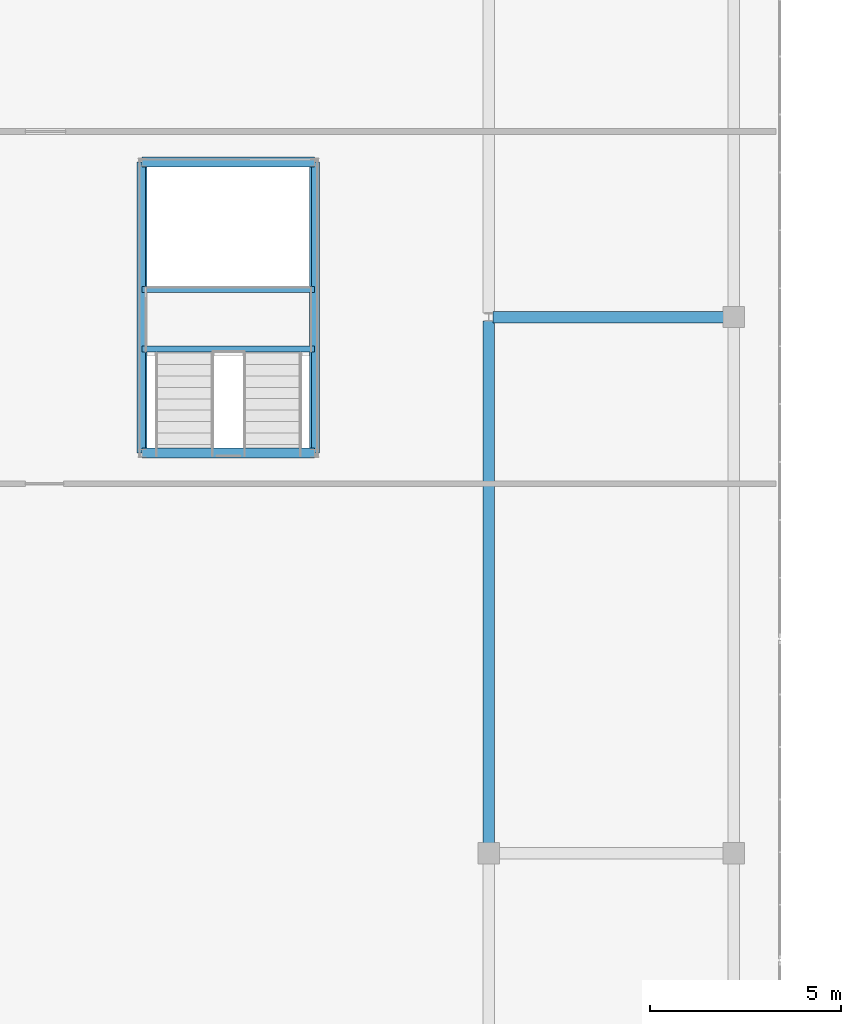
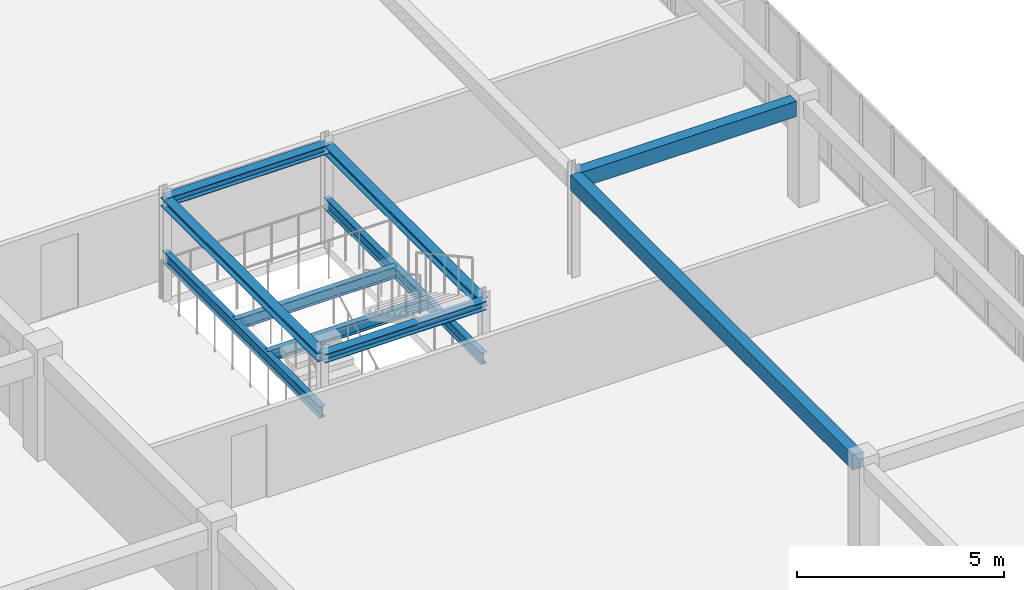
# One storey, part 46 of 148: 10 beams.
"""IFC4 building model written with IfcOpenShell, lengths in metres."""

from ifc_helpers import new_model, si_unit, direction, frame, origin, origin_2d, place, context, subcontext, project, spatial, rectangle, i_section, extrude, material, material_profile, profile_set, type_object, element, save


model = new_model("IFC4")

# Units and contexts
model_context = context("Model", 3, precision=1e-05, world=origin(), true_north=direction((0.0, 1.0)))
body_context = subcontext(model_context, "Body", "Model", "MODEL_VIEW")
ifc_project = project(units=[si_unit("LENGTHUNIT", "METRE"), si_unit("AREAUNIT", "SQUARE_METRE"), si_unit("VOLUMEUNIT", "CUBIC_METRE"), si_unit("PLANEANGLEUNIT", "RADIAN"), si_unit("MASSUNIT", "GRAM", prefix="KILO")], contexts=[model_context])

# Site, building, storey
site_placement = place(None, origin())
site = spatial("IfcSite", under=ifc_project, at=site_placement, CompositionType="ELEMENT")
building_placement = place(site_placement, origin())
building = spatial("IfcBuilding", under=site, at=building_placement, Name="Trelvath General Hospital", CompositionType="ELEMENT")
storey_placement = place(building_placement, frame((0.0, 0.0, 12.89990234375)))
storey = spatial("IfcBuildingStorey", under=building, at=storey_placement, Name="L03", CompositionType="ELEMENT", Elevation=12.89990234375)

# Beams
ifc_material_1 = material(Name="Concrete C35/45", Category="concrete")
ifc_material_profile_1 = material_profile(ifc_material_1, rectangle(XDim=0.300048828125, YDim=0.449951171875, at=origin_2d()), Name="RCB300x450")
ifc_profile_set_1 = profile_set([ifc_material_profile_1], Name="Concrete C35/45")
beam_type_1 = type_object("IfcBeamType", Name="Beam RC300x450", PredefinedType="BEAM", material=ifc_profile_set_1)
beam_1_placement = place(storey_placement, frame((107.305908203125, 58.800048828125, 2.835205078125), z_axis=(1.0, 0.0, 0.0), x_axis=(0.0, 1.0, 0.0)))
element("IfcBeam", 1, at=beam_1_placement, inside=storey, type_object=beam_type_1, Name="Cube Interior Ring Beam CUBE-E-T1 L03", PredefinedType="BEAM", context=body_context, shape_type="SweptSolid", body=[
    extrude(rectangle(XDim=0.300048828125, YDim=0.449951171875, at=origin_2d()), origin(), (0.0, 0.0, 1.0), 6.023193359375),
])
beam_2_placement = place(storey_placement, frame((107.199951171875, 45.071044921875, 2.835205078125), z_axis=(0.0, 1.0, 0.0), x_axis=(-1.0, 0.0, 0.0)))
element("IfcBeam", 2, at=beam_2_placement, inside=storey, type_object=beam_type_1, Name="Cube Interior Ring Beam CUBE-E-T1 L03", PredefinedType="BEAM", context=body_context, shape_type="SweptSolid", body=[
    extrude(rectangle(XDim=0.300048828125, YDim=0.449951171875, at=origin_2d()), origin(), (0.0, 0.0, 1.0), 13.623046875),
])
ifc_material_2 = material(Name="Steel S355", Category="steel")
ifc_material_profile_2 = material_profile(ifc_material_2, i_section(OverallWidth=0.260009765625, OverallDepth=0.25, WebThickness=0.007568359375, FlangeThickness=0.012451171875, at=origin_2d()), Name="HEA260")
ifc_profile_set_2 = profile_set([ifc_material_profile_2], Name="Steel S355")
beam_type_2 = type_object("IfcBeamType", Name="RingBeam HEA260", PredefinedType="BEAM", material=ifc_profile_set_2)
for number, where, z_axis, x_axis, name in (
    (3, (98.14990234375, 55.25, 2.9150390625), (1.0, 0.0, 0.0), (0.0, 1.0, 0.0), "Atrium Ring Beam CUBE-E S L03"),
    (4, (98.14990234375, 62.85009765625, 2.9150390625), (1.0, 0.0, 0.0), (0.0, 1.0, 0.0), "Atrium Ring Beam CUBE-E N L03"),
):
    element("IfcBeam", number, at=place(storey_placement, frame(where, z_axis=z_axis, x_axis=x_axis)), inside=storey, type_object=beam_type_2, Name=name, PredefinedType="BEAM", context=body_context, shape_type="SweptSolid", body=[
        extrude(i_section(OverallWidth=0.260009765625, OverallDepth=0.25, WebThickness=0.007568359375, FlangeThickness=0.012451171875, at=origin_2d()), origin(), (0.0, 0.0, 1.0), 4.5),
    ])
for number, where, z_axis, x_axis, name in (
    (5, (98.14990234375, 55.25, 2.9150390625), (0.0, 1.0, 0.0), (-1.0, 0.0, 0.0), "Atrium Ring Beam CUBE-E W L03"),
    (6, (102.64990234375, 55.25, 2.9150390625), (0.0, 1.0, 0.0), (-1.0, 0.0, 0.0), "Atrium Ring Beam CUBE-E E L03"),
):
    element("IfcBeam", number, at=place(storey_placement, frame(where, z_axis=z_axis, x_axis=x_axis)), inside=storey, type_object=beam_type_2, Name=name, PredefinedType="BEAM", context=body_context, shape_type="SweptSolid", body=[
        extrude(i_section(OverallWidth=0.260009765625, OverallDepth=0.25, WebThickness=0.007568359375, FlangeThickness=0.012451171875, at=origin_2d()), origin(), (0.0, 0.0, 1.0), 7.60009765625),
    ])
ifc_material_3 = material(Name="Steel S355", Category="steel")
ifc_material_profile_3 = material_profile(ifc_material_3, i_section(OverallWidth=0.159912109375, OverallDepth=0.330078125, WebThickness=0.007568359375, FlangeThickness=0.011474609375, at=origin_2d()), Name="IPE330")
ifc_profile_set_3 = profile_set([ifc_material_profile_3], Name="Steel S355")
beam_type_3 = type_object("IfcBeamType", Name="StairLandingBeam IPE330", PredefinedType="BEAM", material=ifc_profile_set_3)
for number, where, z_axis, x_axis, name in (
    (7, (98.14990234375, 55.25, 1.28515625), (0.0, 1.0, 0.0), (-1.0, 0.0, 0.0), "Cube Stair Stringer Beam CUBE-E W L03"),
    (8, (102.64990234375, 55.25, 1.28515625), (0.0, 1.0, 0.0), (-1.0, 0.0, 0.0), "Cube Stair Stringer Beam CUBE-E E L03"),
):
    element("IfcBeam", number, at=place(storey_placement, frame(where, z_axis=z_axis, x_axis=x_axis)), inside=storey, type_object=beam_type_3, Name=name, PredefinedType="BEAM", context=body_context, shape_type="SweptSolid", body=[
        extrude(i_section(OverallWidth=0.159912109375, OverallDepth=0.330078125, WebThickness=0.007568359375, FlangeThickness=0.011474609375, at=origin_2d()), origin(), (0.0, 0.0, 1.0), 7.60009765625),
    ])
for number, where, z_axis, x_axis, name in (
    (9, (98.14990234375, 57.969970703125, 1.28515625), (1.0, 0.0, 0.0), (0.0, 1.0, 0.0), "Cube Landing Cross Beam CUBE-E S L03"),
    (10, (98.14990234375, 59.52001953125, 1.28515625), (1.0, 0.0, 0.0), (0.0, 1.0, 0.0), "Cube Landing Cross Beam CUBE-E N L03"),
):
    element("IfcBeam", number, at=place(storey_placement, frame(where, z_axis=z_axis, x_axis=x_axis)), inside=storey, type_object=beam_type_3, Name=name, PredefinedType="BEAM", context=body_context, shape_type="SweptSolid", body=[
        extrude(i_section(OverallWidth=0.159912109375, OverallDepth=0.330078125, WebThickness=0.007568359375, FlangeThickness=0.011474609375, at=origin_2d()), origin(), (0.0, 0.0, 1.0), 4.5),
    ])

save(model, "model.ifc")
